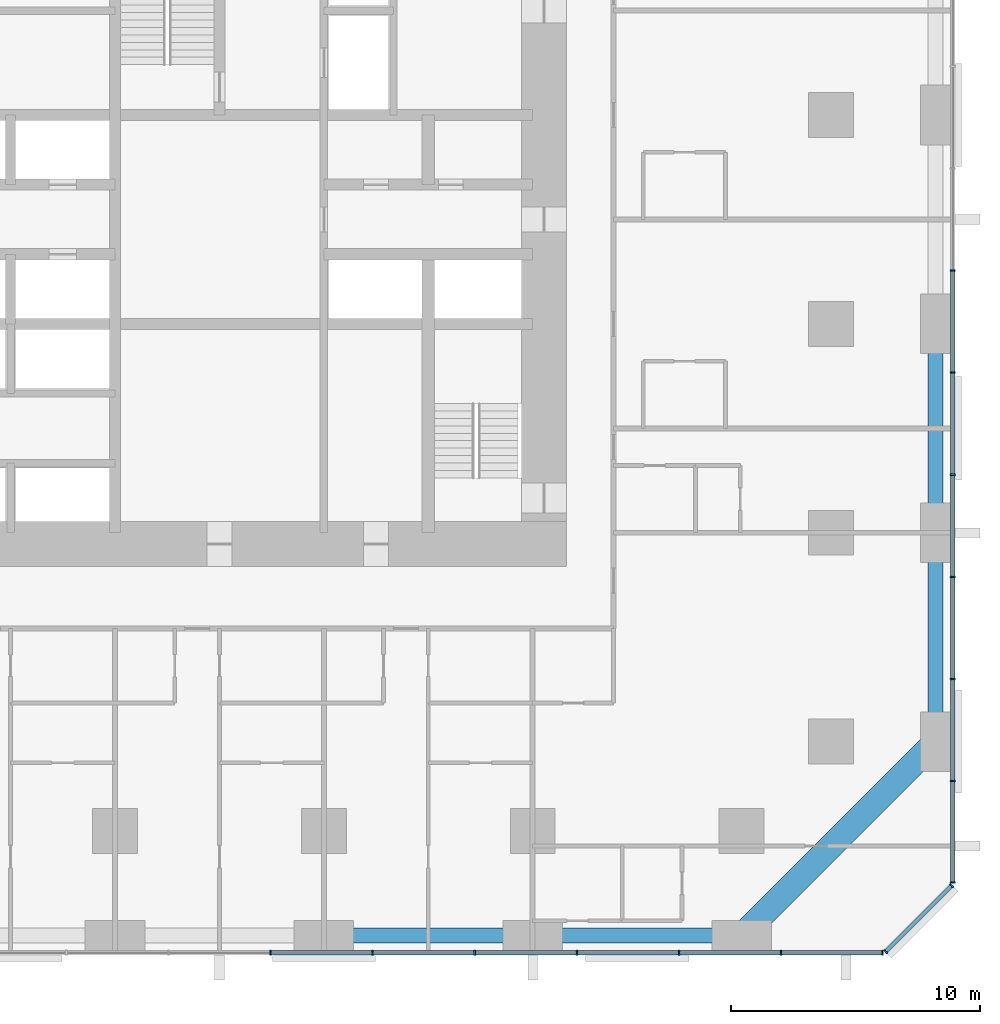
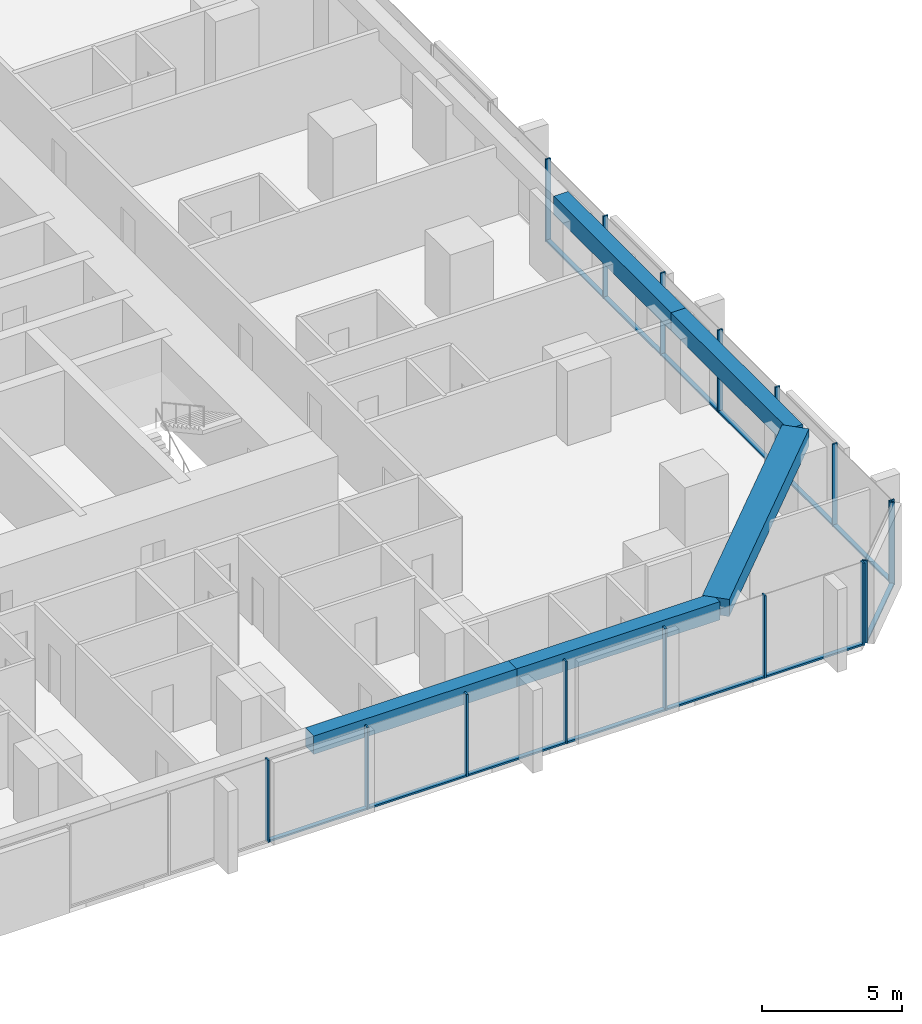
# One storey, part 4 of 17: 29 members, 5 beams, 3 elements without a shape of their own.
"""IFC4 building model written with IfcOpenShell, lengths in metres."""

from ifc_helpers import new_model, si_unit, direction, frame, origin, origin_2d, place, context, subcontext, project, spatial, rectangle, extrude, material, material_profile, profile_set, type_object, element, aggregate, save


model = new_model("IFC4")

# Units and contexts
model_context = context("Model", 3, precision=1e-05, world=origin(), true_north=direction((0.0, 1.0)))
body_context = subcontext(model_context, "Body", "Model", "MODEL_VIEW")
ifc_project = project(units=[si_unit("LENGTHUNIT", "METRE"), si_unit("AREAUNIT", "SQUARE_METRE"), si_unit("VOLUMEUNIT", "CUBIC_METRE"), si_unit("PLANEANGLEUNIT", "RADIAN"), si_unit("MASSUNIT", "GRAM", prefix="KILO")], contexts=[model_context])

# Site, building, storey
site_placement = place(None, origin())
site = spatial("IfcSite", under=ifc_project, at=site_placement, CompositionType="ELEMENT")
building_placement = place(site_placement, origin())
building = spatial("IfcBuilding", under=site, at=building_placement, Name="Dunama Terrace Hotel", CompositionType="ELEMENT")
storey_placement = place(building_placement, frame((0.0, 0.0, 45.0)))
storey = spatial("IfcBuildingStorey", under=building, at=storey_placement, Name="L10", CompositionType="ELEMENT", Elevation=45.0)

# Curtain wall, members
ifc_material_1 = material(Name="Aluminium curtain wall system", Category="aluminium")
curtain_wall_type = type_object("IfcCurtainWallType", Name="Unitised fritted glass wall CW-A", PredefinedType="NOTDEFINED", material=ifc_material_1)
curtain_wall_1_placement = place(storey_placement, origin())
curtain_wall_1 = element("IfcCurtainWall", 1, at=curtain_wall_1_placement, inside=storey, type_object=curtain_wall_type, Name="Unitised fritted glass wall CW-A L10", PredefinedType="NOTDEFINED")
ifc_material_2 = material(Name="Aluminium mullion", Category="aluminium")
ifc_material_profile_1 = material_profile(ifc_material_2, rectangle(XDim=0.06494140625, YDim=0.199951171875, at=origin_2d()), Name="CWA MULLION 65X200")
ifc_profile_set_1 = profile_set([ifc_material_profile_1], Name="Aluminium mullion")
member_type_1 = type_object("IfcMemberType", Name="CWA mullion 65x200", PredefinedType="MULLION", material=ifc_profile_set_1)
member_1_placement = place(storey_placement, frame((31.4541015625, -0.10009765625, 0.0), z_axis=(0.0, 0.0, 1.0), x_axis=(1.0, 0.0, 0.0)))
member_1 = element("IfcMember", 2, at=member_1_placement, type_object=member_type_1, Name="CWA mullion", PredefinedType="MULLION", context=body_context, shape_type="SweptSolid", body=[
    extrude(rectangle(XDim=0.06494140625, YDim=0.199951171875, at=origin_2d()), origin(), (0.0, 0.0, 1.0), 3.60009765625),
])
member_2_placement = place(storey_placement, frame((35.56201171875, -0.10009765625, 0.0), z_axis=(0.0, 0.0, 1.0), x_axis=(1.0, 0.0, 0.0)))
member_2 = element("IfcMember", 3, at=member_2_placement, type_object=member_type_1, Name="CWA mullion", PredefinedType="MULLION", context=body_context, shape_type="SweptSolid", body=[
    extrude(rectangle(XDim=0.06494140625, YDim=0.199951171875, at=origin_2d()), origin(), (0.0, 0.0, 1.0), 3.60009765625),
])
member_3_placement = place(storey_placement, frame((39.6689453125, -0.10009765625, 0.0), z_axis=(0.0, 0.0, 1.0), x_axis=(1.0, 0.0, 0.0)))
member_3 = element("IfcMember", 4, at=member_3_placement, type_object=member_type_1, Name="CWA mullion", PredefinedType="MULLION", context=body_context, shape_type="SweptSolid", body=[
    extrude(rectangle(XDim=0.06494140625, YDim=0.199951171875, at=origin_2d()), origin(), (0.0, 0.0, 1.0), 3.60009765625),
])
member_4_placement = place(storey_placement, frame((43.777099609375, -0.10009765625, 0.0), z_axis=(0.0, 0.0, 1.0), x_axis=(1.0, 0.0, 0.0)))
member_4 = element("IfcMember", 5, at=member_4_placement, type_object=member_type_1, Name="CWA mullion", PredefinedType="MULLION", context=body_context, shape_type="SweptSolid", body=[
    extrude(rectangle(XDim=0.06494140625, YDim=0.199951171875, at=origin_2d()), origin(), (0.0, 0.0, 1.0), 3.60009765625),
])
member_5_placement = place(storey_placement, frame((47.885009765625, -0.10009765625, 0.0), z_axis=(0.0, 0.0, 1.0), x_axis=(1.0, 0.0, 0.0)))
member_5 = element("IfcMember", 6, at=member_5_placement, type_object=member_type_1, Name="CWA mullion", PredefinedType="MULLION", context=body_context, shape_type="SweptSolid", body=[
    extrude(rectangle(XDim=0.06494140625, YDim=0.199951171875, at=origin_2d()), origin(), (0.0, 0.0, 1.0), 3.60009765625),
])
member_6_placement = place(storey_placement, frame((51.991943359375, -0.10009765625, 0.0), z_axis=(0.0, 0.0, 1.0), x_axis=(1.0, 0.0, 0.0)))
member_6 = element("IfcMember", 7, at=member_6_placement, type_object=member_type_1, Name="CWA mullion", PredefinedType="MULLION", context=body_context, shape_type="SweptSolid", body=[
    extrude(rectangle(XDim=0.06494140625, YDim=0.199951171875, at=origin_2d()), origin(), (0.0, 0.0, 1.0), 3.60009765625),
])
member_7_placement = place(storey_placement, frame((56.06689453125, -0.10009765625, 0.0), z_axis=(0.0, 0.0, 1.0), x_axis=(1.0, 0.0, 0.0)))
member_7 = element("IfcMember", 8, at=member_7_placement, type_object=member_type_1, Name="CWA mullion", PredefinedType="MULLION", context=body_context, shape_type="SweptSolid", body=[
    extrude(rectangle(XDim=0.06494140625, YDim=0.199951171875, at=origin_2d()), origin(), (0.0, 0.0, 1.0), 3.60009765625),
])

curtain_wall_2_placement = place(storey_placement, origin())
curtain_wall_2 = element("IfcCurtainWall", 9, at=curtain_wall_2_placement, inside=storey, type_object=curtain_wall_type, Name="Unitised fritted glass wall CW-A L10", PredefinedType="NOTDEFINED")
member_8_placement = place(storey_placement, frame((56.194091796875, -0.048095703125, 0.0), z_axis=(0.0, 0.0, 1.0), x_axis=(0.707106781187, 0.707106781187, 0.0)))
member_8 = element("IfcMember", 10, at=member_8_placement, type_object=member_type_1, Name="CWA mullion", PredefinedType="MULLION", context=body_context, shape_type="SweptSolid", body=[
    extrude(rectangle(XDim=0.06494140625, YDim=0.199951171875, at=origin_2d()), origin(), (0.0, 0.0, 1.0), 3.60009765625),
])
member_9_placement = place(storey_placement, frame((58.847900390625, 2.60595703125, 0.0), z_axis=(0.0, 0.0, 1.0), x_axis=(0.707106781187, 0.707106781187, 0.0)))
member_9 = element("IfcMember", 11, at=member_9_placement, type_object=member_type_1, Name="CWA mullion", PredefinedType="MULLION", context=body_context, shape_type="SweptSolid", body=[
    extrude(rectangle(XDim=0.06494140625, YDim=0.199951171875, at=origin_2d()), origin(), (0.0, 0.0, 1.0), 3.60009765625),
])

curtain_wall_3_placement = place(storey_placement, origin())
curtain_wall_3 = element("IfcCurtainWall", 12, at=curtain_wall_3_placement, inside=storey, type_object=curtain_wall_type, Name="Unitised fritted glass wall CW-A L10", PredefinedType="NOTDEFINED")
member_10_placement = place(storey_placement, frame((58.89990234375, 2.73291015625, 0.0), z_axis=(0.0, 0.0, 1.0), x_axis=(0.0, 1.0, 0.0)))
member_10 = element("IfcMember", 13, at=member_10_placement, type_object=member_type_1, Name="CWA mullion", PredefinedType="MULLION", context=body_context, shape_type="SweptSolid", body=[
    extrude(rectangle(XDim=0.06494140625, YDim=0.199951171875, at=origin_2d()), origin(), (0.0, 0.0, 1.0), 3.60009765625),
])
member_11_placement = place(storey_placement, frame((58.89990234375, 6.80810546875, 0.0), z_axis=(0.0, 0.0, 1.0), x_axis=(0.0, 1.0, 0.0)))
member_11 = element("IfcMember", 14, at=member_11_placement, type_object=member_type_1, Name="CWA mullion", PredefinedType="MULLION", context=body_context, shape_type="SweptSolid", body=[
    extrude(rectangle(XDim=0.06494140625, YDim=0.199951171875, at=origin_2d()), origin(), (0.0, 0.0, 1.0), 3.60009765625),
])
member_12_placement = place(storey_placement, frame((58.89990234375, 10.9150390625, 0.0), z_axis=(0.0, 0.0, 1.0), x_axis=(0.0, 1.0, 0.0)))
member_12 = element("IfcMember", 15, at=member_12_placement, type_object=member_type_1, Name="CWA mullion", PredefinedType="MULLION", context=body_context, shape_type="SweptSolid", body=[
    extrude(rectangle(XDim=0.06494140625, YDim=0.199951171875, at=origin_2d()), origin(), (0.0, 0.0, 1.0), 3.60009765625),
])
member_13_placement = place(storey_placement, frame((58.89990234375, 15.02294921875, 0.0), z_axis=(0.0, 0.0, 1.0), x_axis=(0.0, 1.0, 0.0)))
member_13 = element("IfcMember", 16, at=member_13_placement, type_object=member_type_1, Name="CWA mullion", PredefinedType="MULLION", context=body_context, shape_type="SweptSolid", body=[
    extrude(rectangle(XDim=0.06494140625, YDim=0.199951171875, at=origin_2d()), origin(), (0.0, 0.0, 1.0), 3.60009765625),
])
member_14_placement = place(storey_placement, frame((58.89990234375, 19.131103515625, 0.0), z_axis=(0.0, 0.0, 1.0), x_axis=(0.0, 1.0, 0.0)))
member_14 = element("IfcMember", 17, at=member_14_placement, type_object=member_type_1, Name="CWA mullion", PredefinedType="MULLION", context=body_context, shape_type="SweptSolid", body=[
    extrude(rectangle(XDim=0.06494140625, YDim=0.199951171875, at=origin_2d()), origin(), (0.0, 0.0, 1.0), 3.60009765625),
])
member_15_placement = place(storey_placement, frame((58.89990234375, 23.238037109375, 0.0), z_axis=(0.0, 0.0, 1.0), x_axis=(0.0, 1.0, 0.0)))
member_15 = element("IfcMember", 18, at=member_15_placement, type_object=member_type_1, Name="CWA mullion", PredefinedType="MULLION", context=body_context, shape_type="SweptSolid", body=[
    extrude(rectangle(XDim=0.06494140625, YDim=0.199951171875, at=origin_2d()), origin(), (0.0, 0.0, 1.0), 3.60009765625),
])
member_16_placement = place(storey_placement, frame((58.89990234375, 27.345947265625, 0.0), z_axis=(0.0, 0.0, 1.0), x_axis=(0.0, 1.0, 0.0)))
member_16 = element("IfcMember", 19, at=member_16_placement, type_object=member_type_1, Name="CWA mullion", PredefinedType="MULLION", context=body_context, shape_type="SweptSolid", body=[
    extrude(rectangle(XDim=0.06494140625, YDim=0.199951171875, at=origin_2d()), origin(), (0.0, 0.0, 1.0), 3.60009765625),
])

# Member
ifc_material_3 = material(Name="Aluminium transom", Category="aluminium")
ifc_material_profile_2 = material_profile(ifc_material_3, rectangle(XDim=0.179931640625, YDim=0.074951171875, at=origin_2d()), Name="CWA TRANSOM 180X75")
ifc_profile_set_2 = profile_set([ifc_material_profile_2], Name="Aluminium transom")
member_type_2 = type_object("IfcMemberType", Name="CWA transom 180x75", PredefinedType="USERDEFINED", material=ifc_profile_set_2)
member_17_placement = place(storey_placement, frame((31.486083984375, -0.10009765625, 0.03759765625), z_axis=(1.0, 0.0, 0.0), x_axis=(0.0, 1.0, 0.0)))
member_17 = element("IfcMember", 20, at=member_17_placement, type_object=member_type_2, Name="CWA transom", ObjectType="TRANSOM", PredefinedType="USERDEFINED", context=body_context, shape_type="SweptSolid", body=[
    extrude(rectangle(XDim=0.179931640625, YDim=0.074951171875, at=origin_2d()), origin(), (0.0, 0.0, 1.0), 4.04296875),
])

member_18_placement = place(storey_placement, frame((35.593994140625, -0.10009765625, 0.03759765625), z_axis=(1.0, 0.0, 0.0), x_axis=(0.0, 1.0, 0.0)))
member_18 = element("IfcMember", 21, at=member_18_placement, type_object=member_type_2, Name="CWA transom", ObjectType="TRANSOM", PredefinedType="USERDEFINED", context=body_context, shape_type="SweptSolid", body=[
    extrude(rectangle(XDim=0.179931640625, YDim=0.074951171875, at=origin_2d()), origin(), (0.0, 0.0, 1.0), 4.04296875),
])

member_19_placement = place(storey_placement, frame((39.701904296875, -0.10009765625, 0.03759765625), z_axis=(1.0, 0.0, 0.0), x_axis=(0.0, 1.0, 0.0)))
member_19 = element("IfcMember", 22, at=member_19_placement, type_object=member_type_2, Name="CWA transom", ObjectType="TRANSOM", PredefinedType="USERDEFINED", context=body_context, shape_type="SweptSolid", body=[
    extrude(rectangle(XDim=0.179931640625, YDim=0.074951171875, at=origin_2d()), origin(), (0.0, 0.0, 1.0), 4.0419921875),
])

member_20_placement = place(storey_placement, frame((43.80908203125, -0.10009765625, 0.03759765625), z_axis=(1.0, 0.0, 0.0), x_axis=(0.0, 1.0, 0.0)))
member_20 = element("IfcMember", 23, at=member_20_placement, type_object=member_type_2, Name="CWA transom", ObjectType="TRANSOM", PredefinedType="USERDEFINED", context=body_context, shape_type="SweptSolid", body=[
    extrude(rectangle(XDim=0.179931640625, YDim=0.074951171875, at=origin_2d()), origin(), (0.0, 0.0, 1.0), 4.04296875),
])

member_21_placement = place(storey_placement, frame((47.9169921875, -0.10009765625, 0.03759765625), z_axis=(1.0, 0.0, 0.0), x_axis=(0.0, 1.0, 0.0)))
member_21 = element("IfcMember", 24, at=member_21_placement, type_object=member_type_2, Name="CWA transom", ObjectType="TRANSOM", PredefinedType="USERDEFINED", context=body_context, shape_type="SweptSolid", body=[
    extrude(rectangle(XDim=0.179931640625, YDim=0.074951171875, at=origin_2d()), origin(), (0.0, 0.0, 1.0), 4.04296875),
])

member_22_placement = place(storey_placement, frame((52.02490234375, -0.10009765625, 0.03759765625), z_axis=(1.0, 0.0, 0.0), x_axis=(0.0, 1.0, 0.0)))
member_22 = element("IfcMember", 25, at=member_22_placement, type_object=member_type_2, Name="CWA transom", ObjectType="TRANSOM", PredefinedType="USERDEFINED", context=body_context, shape_type="SweptSolid", body=[
    extrude(rectangle(XDim=0.179931640625, YDim=0.074951171875, at=origin_2d()), origin(), (0.0, 0.0, 1.0), 4.010009765625),
])

aggregate(curtain_wall_1, [member_1, member_2, member_3, member_4, member_5, member_6, member_7, member_17, member_18, member_19, member_20, member_21, member_22])

member_23_placement = place(storey_placement, frame((56.217041015625, -0.02490234375, 0.03759765625), z_axis=(0.707106781187, 0.707106781187, 0.0), x_axis=(-0.707106781187, 0.707106781187, 0.0)))
member_23 = element("IfcMember", 26, at=member_23_placement, type_object=member_type_2, Name="CWA transom", ObjectType="TRANSOM", PredefinedType="USERDEFINED", context=body_context, shape_type="SweptSolid", body=[
    extrude(rectangle(XDim=0.179931640625, YDim=0.074951171875, at=origin_2d()), origin(), (0.0, 0.0, 1.0), 3.688232421875),
])

aggregate(curtain_wall_2, [member_8, member_9, member_23])

member_24_placement = place(storey_placement, frame((58.89990234375, 2.764892578125, 0.03759765625), z_axis=(0.0, 1.0, 0.0), x_axis=(-1.0, 0.0, 0.0)))
member_24 = element("IfcMember", 27, at=member_24_placement, type_object=member_type_2, Name="CWA transom", ObjectType="TRANSOM", PredefinedType="USERDEFINED", context=body_context, shape_type="SweptSolid", body=[
    extrude(rectangle(XDim=0.179931640625, YDim=0.074951171875, at=origin_2d()), origin(), (0.0, 0.0, 1.0), 4.010009765625),
])

member_25_placement = place(storey_placement, frame((58.89990234375, 6.840087890625, 0.03759765625), z_axis=(0.0, 1.0, 0.0), x_axis=(-1.0, 0.0, 0.0)))
member_25 = element("IfcMember", 28, at=member_25_placement, type_object=member_type_2, Name="CWA transom", ObjectType="TRANSOM", PredefinedType="USERDEFINED", context=body_context, shape_type="SweptSolid", body=[
    extrude(rectangle(XDim=0.179931640625, YDim=0.074951171875, at=origin_2d()), origin(), (0.0, 0.0, 1.0), 4.04296875),
])

member_26_placement = place(storey_placement, frame((58.89990234375, 10.947998046875, 0.03759765625), z_axis=(0.0, 1.0, 0.0), x_axis=(-1.0, 0.0, 0.0)))
member_26 = element("IfcMember", 29, at=member_26_placement, type_object=member_type_2, Name="CWA transom", ObjectType="TRANSOM", PredefinedType="USERDEFINED", context=body_context, shape_type="SweptSolid", body=[
    extrude(rectangle(XDim=0.179931640625, YDim=0.074951171875, at=origin_2d()), origin(), (0.0, 0.0, 1.0), 4.04296875),
])

member_27_placement = place(storey_placement, frame((58.89990234375, 15.055908203125, 0.03759765625), z_axis=(0.0, 1.0, 0.0), x_axis=(-1.0, 0.0, 0.0)))
member_27 = element("IfcMember", 30, at=member_27_placement, type_object=member_type_2, Name="CWA transom", ObjectType="TRANSOM", PredefinedType="USERDEFINED", context=body_context, shape_type="SweptSolid", body=[
    extrude(rectangle(XDim=0.179931640625, YDim=0.074951171875, at=origin_2d()), origin(), (0.0, 0.0, 1.0), 4.0419921875),
])

member_28_placement = place(storey_placement, frame((58.89990234375, 19.1630859375, 0.03759765625), z_axis=(0.0, 1.0, 0.0), x_axis=(-1.0, 0.0, 0.0)))
member_28 = element("IfcMember", 31, at=member_28_placement, type_object=member_type_2, Name="CWA transom", ObjectType="TRANSOM", PredefinedType="USERDEFINED", context=body_context, shape_type="SweptSolid", body=[
    extrude(rectangle(XDim=0.179931640625, YDim=0.074951171875, at=origin_2d()), origin(), (0.0, 0.0, 1.0), 4.04296875),
])

member_29_placement = place(storey_placement, frame((58.89990234375, 23.27099609375, 0.03759765625), z_axis=(0.0, 1.0, 0.0), x_axis=(-1.0, 0.0, 0.0)))
member_29 = element("IfcMember", 32, at=member_29_placement, type_object=member_type_2, Name="CWA transom", ObjectType="TRANSOM", PredefinedType="USERDEFINED", context=body_context, shape_type="SweptSolid", body=[
    extrude(rectangle(XDim=0.179931640625, YDim=0.074951171875, at=origin_2d()), origin(), (0.0, 0.0, 1.0), 4.04296875),
])

aggregate(curtain_wall_3, [member_10, member_11, member_12, member_13, member_14, member_15, member_16, member_24, member_25, member_26, member_27, member_28, member_29])

# Beams
ifc_material_4 = material(Name="Concrete C50/60", Category="concrete")
ifc_material_profile_3 = material_profile(ifc_material_4, rectangle(XDim=1.0, YDim=0.75, at=origin_2d()), Name="RC 1000x750")
ifc_profile_set_3 = profile_set([ifc_material_profile_3], Name="Concrete C50/60")
beam_type_1 = type_object("IfcBeamType", Name="Edge beam RC 1000x750", PredefinedType="SPANDREL", material=ifc_profile_set_3)
beam_1_placement = place(storey_placement, frame((50.39990234375, 0.60009765625, 3.22509765625), z_axis=(0.707117847453, 0.707095714747, 0.0), x_axis=(-0.707095714747, 0.707117847453, 0.0)))
element("IfcBeam", 33, at=beam_1_placement, inside=storey, type_object=beam_type_1, Name="Corner edge beam under L11", PredefinedType="SPANDREL", context=body_context, shape_type="SweptSolid", body=[
    extrude(rectangle(XDim=1.0, YDim=0.75, at=origin_2d()), origin(), (0.0, 0.0, 1.0), 11.03076171875),
])
ifc_material_5 = material(Name="Concrete C40/50", Category="concrete")
ifc_material_profile_4 = material_profile(ifc_material_5, rectangle(XDim=0.60009765625, YDim=0.800048828125, at=origin_2d()), Name="RC 600x800")
ifc_profile_set_4 = profile_set([ifc_material_profile_4], Name="Concrete C40/50")
beam_type_2 = type_object("IfcBeamType", Name="Edge beam RC 600x800", PredefinedType="SPANDREL", material=ifc_profile_set_4)
beam_2_placement = place(storey_placement, frame((58.199951171875, 8.39990234375, 3.199951171875), z_axis=(0.0, 1.0, 0.0), x_axis=(-1.0, 0.0, 0.0)))
element("IfcBeam", 34, at=beam_2_placement, inside=storey, type_object=beam_type_2, Name="Edge beam under L11", PredefinedType="SPANDREL", context=body_context, shape_type="SweptSolid", body=[
    extrude(rectangle(XDim=0.60009765625, YDim=0.800048828125, at=origin_2d()), origin(), (0.0, 0.0, 1.0), 8.400146484375),
])
for number, where, z_axis, x_axis, name in (
    (35, (58.199951171875, 16.800048828125, 3.199951171875), (0.0, 1.0, 0.0), (-1.0, 0.0, 0.0), "Edge beam under L11"),
    (36, (33.60009765625, 0.60009765625, 3.199951171875), (1.0, 0.0, 0.0), (0.0, 1.0, 0.0), "Edge beam under L11"),
    (37, (42.0, 0.60009765625, 3.199951171875), (1.0, 0.0, 0.0), (0.0, 1.0, 0.0), "Edge beam under L11"),
):
    element("IfcBeam", number, at=place(storey_placement, frame(where, z_axis=z_axis, x_axis=x_axis)), inside=storey, type_object=beam_type_2, Name=name, PredefinedType="SPANDREL", context=body_context, shape_type="SweptSolid", body=[
        extrude(rectangle(XDim=0.60009765625, YDim=0.800048828125, at=origin_2d()), origin(), (0.0, 0.0, 1.0), 8.39990234375),
    ])

save(model, "model.ifc")
